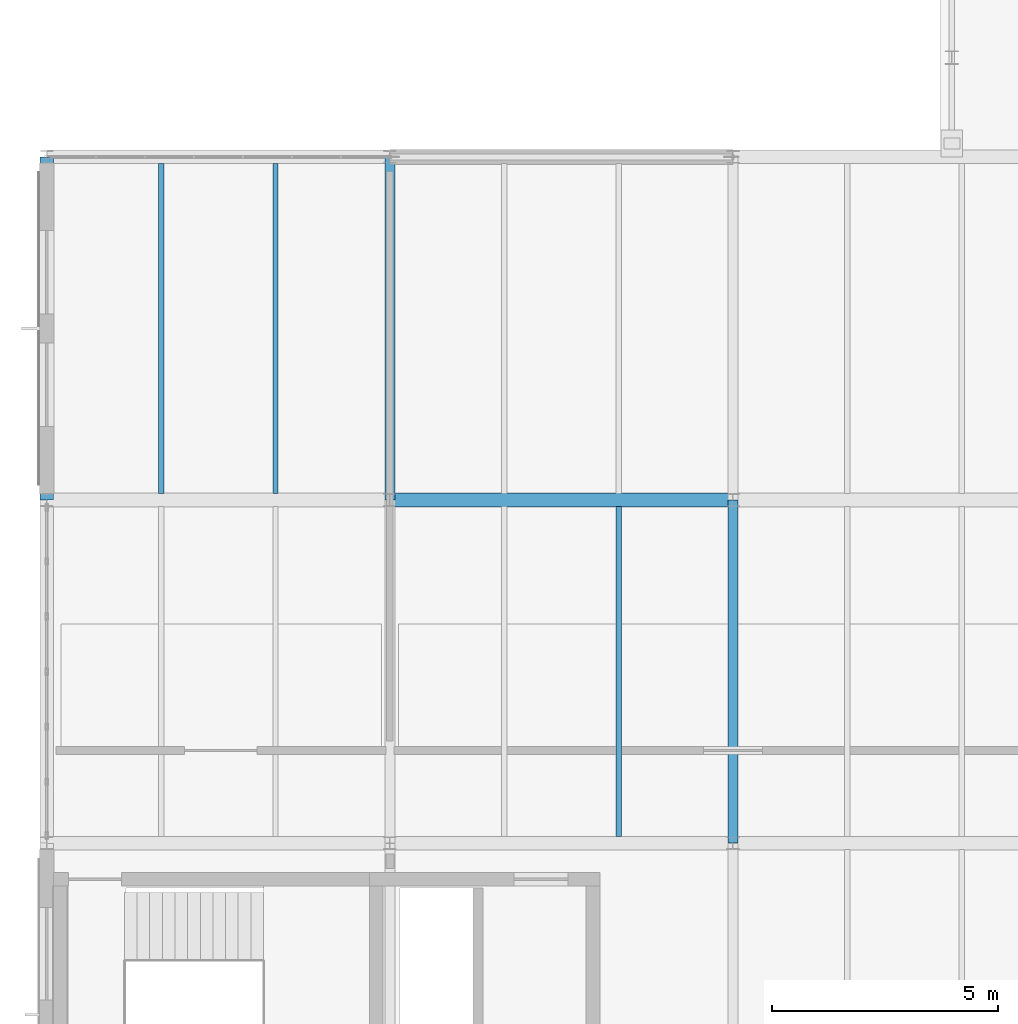
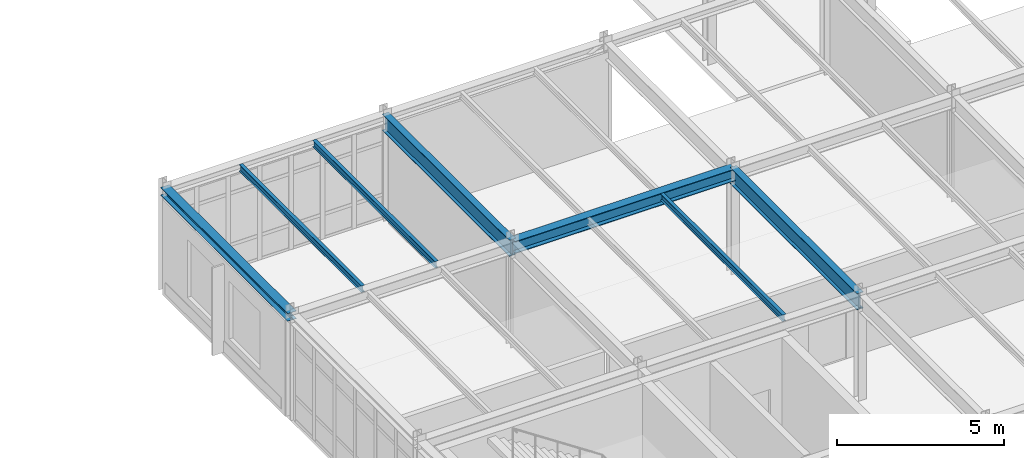
# One storey, part 32 of 165: 7 beams.
"""IFC4 building model written with IfcOpenShell, lengths in metres."""

from ifc_helpers import new_model, si_unit, direction, frame, origin, origin_2d, place, context, subcontext, project, spatial, i_section, extrude, material, material_profile, profile_set, type_object, element, save


model = new_model("IFC4")

# Units and contexts
model_context = context("Model", 3, precision=1e-05, world=origin(), true_north=direction((0.0, 1.0)))
body_context = subcontext(model_context, "Body", "Model", "MODEL_VIEW")
ifc_project = project(units=[si_unit("LENGTHUNIT", "METRE"), si_unit("AREAUNIT", "SQUARE_METRE"), si_unit("VOLUMEUNIT", "CUBIC_METRE"), si_unit("PLANEANGLEUNIT", "RADIAN"), si_unit("MASSUNIT", "GRAM", prefix="KILO")], contexts=[model_context])

# Site, building, storey
site_placement = place(None, origin())
site = spatial("IfcSite", under=ifc_project, at=site_placement, CompositionType="ELEMENT")
building_placement = place(site_placement, origin())
building = spatial("IfcBuilding", under=site, at=building_placement, Name="Montecoro Central Library", CompositionType="ELEMENT")
storey_placement = place(building_placement, frame((0.0, 0.0, 5.10009765625)))
storey = spatial("IfcBuildingStorey", under=building, at=storey_placement, Name="L01", CompositionType="ELEMENT", Elevation=5.10009765625)

# Beams
ifc_material_1 = material(Name="Steel S355J2", Category="steel")
ifc_material_profile_1 = material_profile(ifc_material_1, i_section(OverallWidth=0.300048828125, OverallDepth=0.43994140625, WebThickness=0.011474609375, FlangeThickness=0.02099609375, at=origin_2d()), Name="HEA 450")
ifc_profile_set_1 = profile_set([ifc_material_profile_1], Name="Steel S355J2")
beam_type_1 = type_object("IfcBeamType", Name="BM-G-HEA450", PredefinedType="USERDEFINED", material=ifc_profile_set_1)
beam_1_placement = place(storey_placement, frame((12.60498046875, 27.800048828125, 3.60498046875), z_axis=(1.0, 0.0, 0.0), x_axis=(0.0, 1.0, 0.0)))
element("IfcBeam", 1, at=beam_1_placement, inside=storey, type_object=beam_type_1, Name="V3-L01-BX-23-D", ObjectType="GIRDER", PredefinedType="USERDEFINED", context=body_context, shape_type="SweptSolid", body=[
    extrude(i_section(OverallWidth=0.300048828125, OverallDepth=0.43994140625, WebThickness=0.011474609375, FlangeThickness=0.02099609375, at=origin_2d()), origin(), (0.0, 0.0, 1.0), 7.590087890625),
])
ifc_material_profile_2 = material_profile(ifc_material_1, i_section(OverallWidth=0.219970703125, OverallDepth=0.60009765625, WebThickness=0.011962890625, FlangeThickness=0.01904296875, at=origin_2d()), Name="IPE 600")
ifc_profile_set_2 = profile_set([ifc_material_profile_2], Name="Steel S355J2")
beam_type_2 = type_object("IfcBeamType", Name="BM-G-IPE600", PredefinedType="USERDEFINED", material=ifc_profile_set_2)
beam_2_placement = place(storey_placement, frame((12.60009765625, 27.804931640625, 3.52490234375), z_axis=(0.0, 1.0, 0.0), x_axis=(-1.0, 0.0, 0.0)))
element("IfcBeam", 2, at=beam_2_placement, inside=storey, type_object=beam_type_2, Name="V3-L01-BY-2-DE", ObjectType="GIRDER", PredefinedType="USERDEFINED", context=body_context, shape_type="SweptSolid", body=[
    extrude(i_section(OverallWidth=0.219970703125, OverallDepth=0.60009765625, WebThickness=0.011962890625, FlangeThickness=0.01904296875, at=origin_2d()), origin(), (0.0, 0.0, 1.0), 7.590087890625),
])
beam_3_placement = place(storey_placement, frame((20.199951171875, 20.205078125, 3.52490234375), z_axis=(0.0, 1.0, 0.0), x_axis=(-1.0, 0.0, 0.0)))
element("IfcBeam", 3, at=beam_3_placement, inside=storey, type_object=beam_type_2, Name="V3-L01-BY-3-CD", ObjectType="GIRDER", PredefinedType="USERDEFINED", context=body_context, shape_type="SweptSolid", body=[
    extrude(i_section(OverallWidth=0.219970703125, OverallDepth=0.60009765625, WebThickness=0.011962890625, FlangeThickness=0.01904296875, at=origin_2d()), origin(), (0.0, 0.0, 1.0), 7.58984375),
])
ifc_material_2 = material(Name="Steel S355", Category="steel")
ifc_material_profile_3 = material_profile(ifc_material_2, i_section(OverallWidth=0.1201171875, OverallDepth=0.239990234375, WebThickness=0.006103515625, FlangeThickness=0.009765625, at=origin_2d()), Name="IPE 240")
ifc_profile_set_3 = profile_set([ifc_material_profile_3], Name="Steel S355")
beam_type_3 = type_object("IfcBeamType", Name="BM-J-IPE240", PredefinedType="JOIST", material=ifc_profile_set_3)
for number, where, z_axis, x_axis, name in (
    (4, (7.532958984375, 27.947021484375, 3.704833984375), (0.0, 1.0, 0.0), (-1.0, 0.0, 0.0), "V3-L01-JS-12-DE-1"),
    (5, (10.06689453125, 27.947021484375, 3.704833984375), (0.0, 1.0, 0.0), (-1.0, 0.0, 0.0), "V3-L01-JS-12-DE-2"),
):
    element("IfcBeam", number, at=place(storey_placement, frame(where, z_axis=z_axis, x_axis=x_axis)), inside=storey, type_object=beam_type_3, Name=name, PredefinedType="JOIST", context=body_context, shape_type="SweptSolid", body=[
        extrude(i_section(OverallWidth=0.1201171875, OverallDepth=0.239990234375, WebThickness=0.006103515625, FlangeThickness=0.009765625, at=origin_2d()), origin(), (0.0, 0.0, 1.0), 7.305908203125),
    ])
beam_4_placement = place(storey_placement, frame((17.6669921875, 20.346923828125, 3.704833984375), z_axis=(0.0, 1.0, 0.0), x_axis=(-1.0, 0.0, 0.0)))
element("IfcBeam", 6, at=beam_4_placement, inside=storey, type_object=beam_type_3, Name="V3-L01-JS-23-CD-2", PredefinedType="JOIST", context=body_context, shape_type="SweptSolid", body=[
    extrude(i_section(OverallWidth=0.1201171875, OverallDepth=0.239990234375, WebThickness=0.006103515625, FlangeThickness=0.009765625, at=origin_2d()), origin(), (0.0, 0.0, 1.0), 7.30615234375),
])
ifc_material_profile_4 = material_profile(ifc_material_2, i_section(OverallWidth=0.300048828125, OverallDepth=0.2900390625, WebThickness=0.008544921875, FlangeThickness=0.013916015625, at=origin_2d()), Name="HEA 300")
ifc_profile_set_4 = profile_set([ifc_material_profile_4], Name="Steel S355")
beam_type_4 = type_object("IfcBeamType", Name="BM-SP-HEA300", PredefinedType="SPANDREL", material=ifc_profile_set_4)
beam_5_placement = place(storey_placement, frame((5.0, 27.804931640625, 3.679931640625), z_axis=(0.0, 1.0, 0.0), x_axis=(-1.0, 0.0, 0.0)))
element("IfcBeam", 7, at=beam_5_placement, inside=storey, type_object=beam_type_4, Name="V3-L01-BY-1-DE", PredefinedType="SPANDREL", context=body_context, shape_type="SweptSolid", body=[
    extrude(i_section(OverallWidth=0.300048828125, OverallDepth=0.2900390625, WebThickness=0.008544921875, FlangeThickness=0.013916015625, at=origin_2d()), origin(), (0.0, 0.0, 1.0), 7.590087890625),
])

save(model, "model.ifc")
